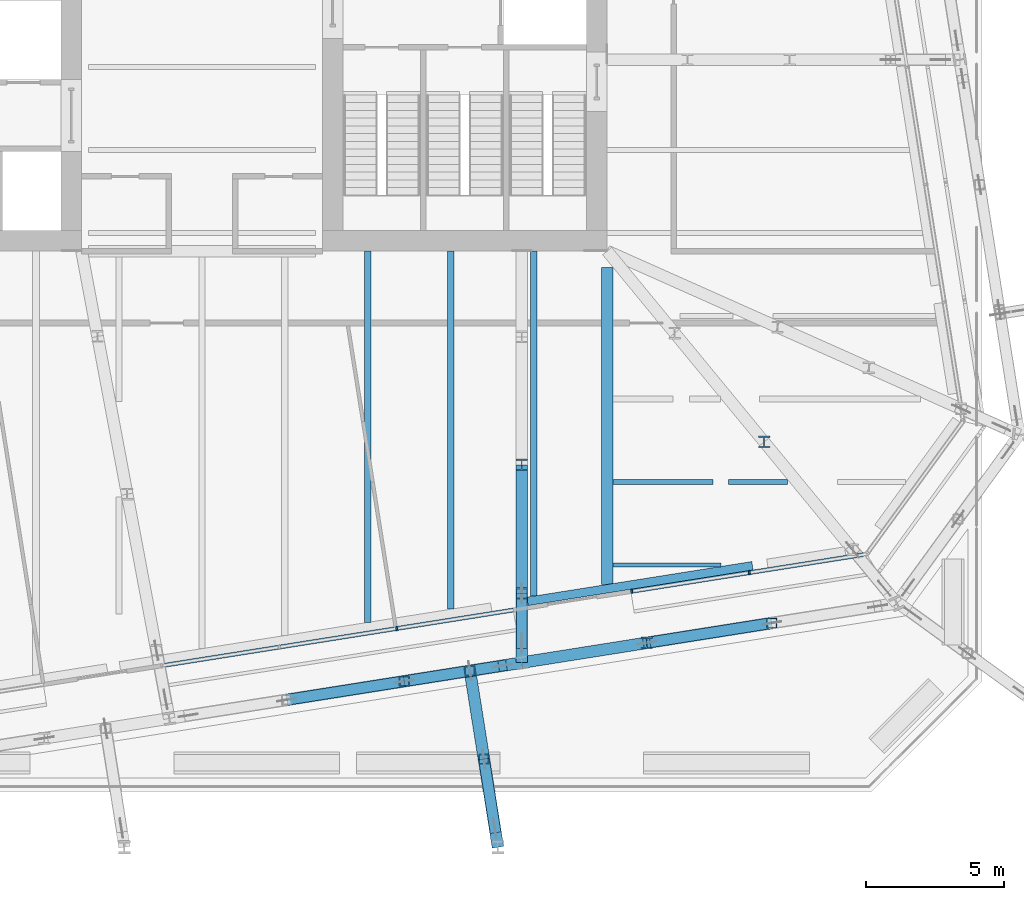
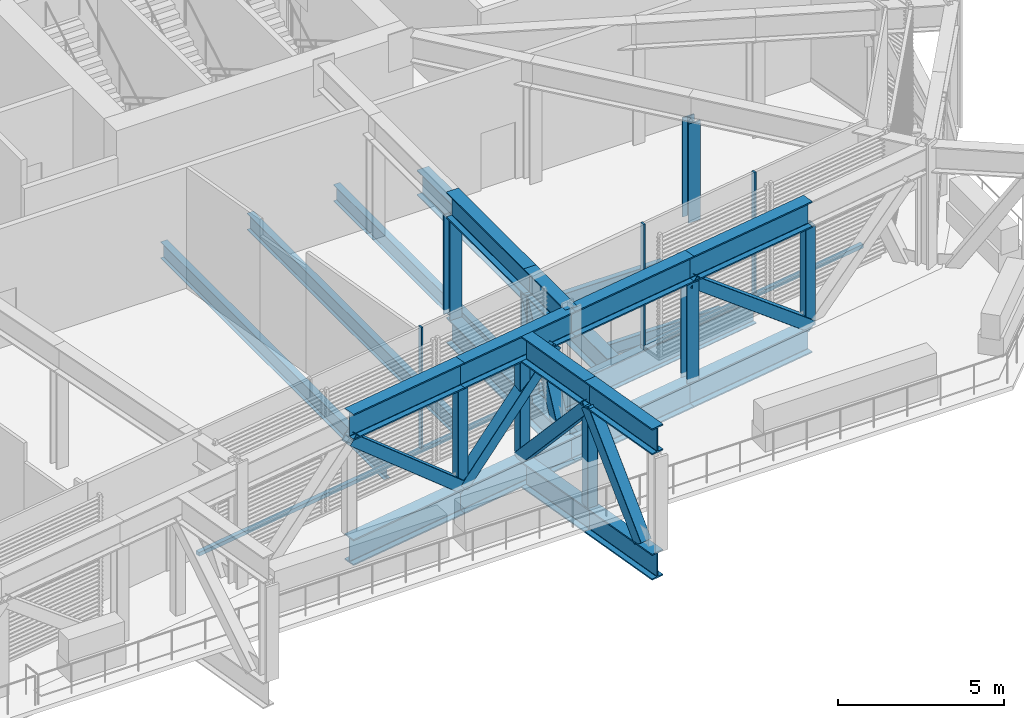
# One storey, part 7 of 32: 24 beams, 19 members, 1 element without a shape of its own.
"""IFC4 building model written with IfcOpenShell, lengths in metres."""

from ifc_helpers import new_model, si_unit, direction, frame, origin, origin_2d, place, context, subcontext, project, spatial, rectangle, hollow_rectangle, i_section, extrude, material, layer, layer_set, material_profile, profile_set, type_object, element, aggregate, save


model = new_model("IFC4")

# Units and contexts
model_context = context("Model", 3, precision=1e-05, world=origin(), true_north=direction((0.0, 1.0)))
body_context = subcontext(model_context, "Body", "Model", "MODEL_VIEW")
ifc_project = project(units=[si_unit("LENGTHUNIT", "METRE"), si_unit("AREAUNIT", "SQUARE_METRE"), si_unit("VOLUMEUNIT", "CUBIC_METRE"), si_unit("PLANEANGLEUNIT", "RADIAN"), si_unit("MASSUNIT", "GRAM", prefix="KILO")], contexts=[model_context])

# Site, building, storey
site_placement = place(None, origin())
site = spatial("IfcSite", under=ifc_project, at=site_placement, CompositionType="ELEMENT")
building_placement = place(site_placement, origin())
building = spatial("IfcBuilding", under=site, at=building_placement, Name="Millrace Tower", CompositionType="ELEMENT")
storey_placement = place(building_placement, frame((0.0, 0.0, 124.89990234375)))
storey = spatial("IfcBuildingStorey", under=building, at=storey_placement, Name="L27", CompositionType="ELEMENT", Elevation=124.89990234375)

# Curtain wall, members
ifc_material_1 = material(Name="Aluminium and glass", Category="aluminium")
ifc_layer = layer(ifc_material_1, 0.14990234375)
ifc_layer_set = layer_set([ifc_layer], Name="Aluminium and glass")
curtain_wall_type = type_object("IfcCurtainWallType", Name="CW-5 truss and plant storey louvred infill", PredefinedType="NOTDEFINED", material=ifc_layer_set)
curtain_wall_placement = place(storey_placement, origin())
curtain_wall = element("IfcCurtainWall", 1, at=curtain_wall_placement, inside=storey, type_object=curtain_wall_type, Name="Curtain wall C-F02 L27", PredefinedType="NOTDEFINED")
ifc_material_2 = material(Name="Aluminium", Category="aluminium")
ifc_material_profile_1 = material_profile(ifc_material_2, rectangle(XDim=0.06494140625, YDim=0.14990234375, at=origin_2d()))
ifc_profile_set_1 = profile_set([ifc_material_profile_1], Name="Aluminium")
member_type_1 = type_object("IfcMemberType", Name="CW-5 truss and plant storey louvred infill mullion", PredefinedType="MULLION", material=ifc_profile_set_1)
member_1_placement = place(storey_placement, frame((7.04345703125, -23.293212890625, 0.14013671875), z_axis=(0.0, 0.0, 1.0), x_axis=(0.98768833929, 0.15643447328, 0.0)))
member_1 = element("IfcMember", 2, at=member_1_placement, type_object=member_type_1, Name="CW5 mullion C-F02.6", PredefinedType="MULLION", context=body_context, shape_type="SweptSolid", body=[
    extrude(rectangle(XDim=0.06494140625, YDim=0.14990234375, at=origin_2d()), origin(), (0.0, 0.0, 1.0), 4.4599609375),
])
member_2_placement = place(storey_placement, frame((15.53759765625, -21.947998046875, 0.14013671875), z_axis=(0.0, 0.0, 1.0), x_axis=(0.98768833929, 0.15643447328, 0.0)))
member_2 = element("IfcMember", 3, at=member_2_placement, type_object=member_type_1, Name="CW5 mullion C-F02.8", PredefinedType="MULLION", context=body_context, shape_type="SweptSolid", body=[
    extrude(rectangle(XDim=0.06494140625, YDim=0.14990234375, at=origin_2d()), origin(), (0.0, 0.0, 1.0), 4.4599609375),
])
member_3_placement = place(storey_placement, frame((19.78466796875, -21.275390625, 0.14013671875), z_axis=(0.0, 0.0, 1.0), x_axis=(0.98768833929, 0.15643447328, 0.0)))
member_3 = element("IfcMember", 4, at=member_3_placement, type_object=member_type_1, Name="CW5 mullion C-F02.9", PredefinedType="MULLION", context=body_context, shape_type="SweptSolid", body=[
    extrude(rectangle(XDim=0.06494140625, YDim=0.14990234375, at=origin_2d()), origin(), (0.0, 0.0, 1.0), 4.4599609375),
])
ifc_material_3 = material(Name="Aluminium", Category="aluminium")
ifc_material_profile_2 = material_profile(ifc_material_3, rectangle(XDim=0.14990234375, YDim=0.139892578125, at=origin_2d()))
ifc_profile_set_2 = profile_set([ifc_material_profile_2], Name="Aluminium")
member_type_2 = type_object("IfcMemberType", Name="CW-5 truss and plant storey louvred infill transom", PredefinedType="USERDEFINED", material=ifc_profile_set_2)
member_4_placement = place(storey_placement, frame((-1.482666015625, -24.643798828125, 0.070068359375), z_axis=(0.987687659758, 0.156438763615, 0.0), x_axis=(-0.156438763615, 0.987687659758, 0.0)))
member_4 = element("IfcMember", 5, at=member_4_placement, type_object=member_type_2, Name="CW5 transom C-F02.2", ObjectType="TRANSOM", PredefinedType="USERDEFINED", context=body_context, shape_type="SweptSolid", body=[
    extrude(rectangle(XDim=0.14990234375, YDim=0.139892578125, at=origin_2d()), origin(), (0.0, 0.0, 1.0), 12.900146484375),
])
member_5_placement = place(storey_placement, frame((15.505615234375, -21.953125, 0.070068359375), z_axis=(0.9876855257, 0.156452236557, 0.0), x_axis=(-0.156452236557, 0.9876855257, 0.0)))
member_5 = element("IfcMember", 6, at=member_5_placement, type_object=member_type_2, Name="CW5 transom C-F02.3", ObjectType="TRANSOM", PredefinedType="USERDEFINED", context=body_context, shape_type="SweptSolid", body=[
    extrude(rectangle(XDim=0.14990234375, YDim=0.139892578125, at=origin_2d()), origin(), (0.0, 0.0, 1.0), 8.5),
])
aggregate(curtain_wall, [member_1, member_2, member_3, member_4, member_5])

# Beams
ifc_material_4 = material(Name="Steel ASTM A992 Grade 50", Category="steel")
ifc_material_profile_3 = material_profile(ifc_material_4, i_section(OverallWidth=0.15234375, OverallDepth=0.449462890625, WebThickness=0.007568359375, FlangeThickness=0.0107421875, FilletRadius=0.01025390625, at=origin_2d()))
ifc_profile_set_3 = profile_set([ifc_material_profile_3], Name="Steel ASTM A992 Grade 50")
beam_type_1 = type_object("IfcBeamType", Name="Floor beam W18x35", PredefinedType="JOIST", material=ifc_profile_set_3)
beam_1_placement = place(storey_placement, frame((14.859619140625, -21.0, -0.384765625), z_axis=(1.0, 0.0, 0.0), x_axis=(0.0, 1.0, 0.0)))
element("IfcBeam", 7, at=beam_1_placement, inside=storey, type_object=beam_type_1, Name="BM-C-L27-S1-S003", PredefinedType="JOIST", context=body_context, shape_type="SweptSolid", body=[
    extrude(i_section(OverallWidth=0.15234375, OverallDepth=0.449462890625, WebThickness=0.007568359375, FlangeThickness=0.0107421875, FilletRadius=0.01025390625, at=origin_2d()), origin(), (0.0, 0.0, 1.0), 3.9033203125),
])
ifc_material_5 = material(Name="Steel ASTM A992 Grade 50", Category="steel")
ifc_material_profile_4 = material_profile(ifc_material_5, i_section(OverallWidth=0.1787109375, OverallDepth=0.60205078125, WebThickness=0.010986328125, FlangeThickness=0.014892578125, FilletRadius=0.0126953125, at=origin_2d()))
ifc_profile_set_4 = profile_set([ifc_material_profile_4], Name="Steel ASTM A992 Grade 50")
beam_type_2 = type_object("IfcBeamType", Name="Floor beam W24x62", PredefinedType="JOIST", material=ifc_profile_set_4)
beam_2_placement = place(storey_placement, frame((14.859619140625, -18.0, -0.4609375), z_axis=(1.0, 0.0, 0.0), x_axis=(0.0, 1.0, 0.0)))
element("IfcBeam", 8, at=beam_2_placement, inside=storey, type_object=beam_type_2, Name="BM-C-L27-S1-S005-a", PredefinedType="JOIST", context=body_context, shape_type="SweptSolid", body=[
    extrude(i_section(OverallWidth=0.1787109375, OverallDepth=0.60205078125, WebThickness=0.010986328125, FlangeThickness=0.014892578125, FilletRadius=0.0126953125, at=origin_2d()), origin(), (0.0, 0.0, 1.0), 3.60986328125),
])
beam_3_placement = place(storey_placement, frame((19.03369140625, -18.0, -0.4609375), z_axis=(1.0, 0.0, 0.0), x_axis=(0.0, 1.0, 0.0)))
element("IfcBeam", 9, at=beam_3_placement, inside=storey, type_object=beam_type_2, Name="BM-C-L27-S1-S005-b-a", PredefinedType="JOIST", context=body_context, shape_type="SweptSolid", body=[
    extrude(i_section(OverallWidth=0.1787109375, OverallDepth=0.60205078125, WebThickness=0.010986328125, FlangeThickness=0.014892578125, FilletRadius=0.0126953125, at=origin_2d()), origin(), (0.0, 0.0, 1.0), 2.134765625),
])
ifc_material_6 = material(Name="Steel ASTM A992 Grade 50", Category="steel")
ifc_material_profile_5 = material_profile(ifc_material_6, i_section(OverallWidth=0.228271484375, OverallDepth=0.607177734375, WebThickness=0.01123046875, FlangeThickness=0.017333984375, FilletRadius=0.0126953125, at=origin_2d()))
ifc_profile_set_5 = profile_set([ifc_material_profile_5], Name="Steel ASTM A992 Grade 50")
beam_type_3 = type_object("IfcBeamType", Name="Floor beam W24x76", PredefinedType="JOIST", material=ifc_profile_set_5)
beam_4_placement = place(storey_placement, frame((6.0, -23.071533203125, -0.46337890625), z_axis=(0.0, 1.0, 0.0), x_axis=(-1.0, 0.0, 0.0)))
element("IfcBeam", 10, at=beam_4_placement, inside=storey, type_object=beam_type_3, Name="BM-C-L27-S1-S052", PredefinedType="JOIST", context=body_context, shape_type="SweptSolid", body=[
    extrude(i_section(OverallWidth=0.228271484375, OverallDepth=0.607177734375, WebThickness=0.01123046875, FlangeThickness=0.017333984375, FilletRadius=0.0126953125, at=origin_2d()), origin(), (0.0, 0.0, 1.0), 13.421630859375),
])
beam_5_placement = place(storey_placement, frame((9.0, -22.596435546875, -0.46337890625), z_axis=(0.0, 1.0, 0.0), x_axis=(-1.0, 0.0, 0.0)))
element("IfcBeam", 11, at=beam_5_placement, inside=storey, type_object=beam_type_3, Name="BM-C-L27-S1-S054", PredefinedType="JOIST", context=body_context, shape_type="SweptSolid", body=[
    extrude(i_section(OverallWidth=0.228271484375, OverallDepth=0.607177734375, WebThickness=0.01123046875, FlangeThickness=0.017333984375, FilletRadius=0.0126953125, at=origin_2d()), origin(), (0.0, 0.0, 1.0), 12.946533203125),
])
beam_6_placement = place(storey_placement, frame((12.0, -22.12109375, -0.46337890625), z_axis=(0.0, 1.0, 0.0), x_axis=(-1.0, 0.0, 0.0)))
element("IfcBeam", 12, at=beam_6_placement, inside=storey, type_object=beam_type_3, Name="BM-C-L27-S1-S056", PredefinedType="JOIST", context=body_context, shape_type="SweptSolid", body=[
    extrude(i_section(OverallWidth=0.228271484375, OverallDepth=0.607177734375, WebThickness=0.01123046875, FlangeThickness=0.017333984375, FilletRadius=0.0126953125, at=origin_2d()), origin(), (0.0, 0.0, 1.0), 12.47119140625),
])
ifc_material_7 = material(Name="Steel ASTM A992 Grade 50", Category="steel")
ifc_material_profile_6 = material_profile(ifc_material_7, i_section(OverallWidth=0.419189453125, OverallDepth=0.927001953125, WebThickness=0.019287109375, FlangeThickness=0.031982421875, FilletRadius=0.024169921875, at=origin_2d()))
ifc_profile_set_6 = profile_set([ifc_material_profile_6], Name="Steel ASTM A992 Grade 50")
beam_type_4 = type_object("IfcBeamType", Name="Girder short span W36x231", PredefinedType="BEAM", material=ifc_profile_set_6)
beam_7_placement = place(storey_placement, frame((14.64990234375, -21.693603515625, -0.62353515625), z_axis=(0.0, 1.0, 0.0), x_axis=(-1.0, 0.0, 0.0)))
element("IfcBeam", 13, at=beam_7_placement, inside=storey, type_object=beam_type_4, Name="BM-C-L27-S1-G060", PredefinedType="BEAM", context=body_context, shape_type="SweptSolid", body=[
    extrude(i_section(OverallWidth=0.419189453125, OverallDepth=0.927001953125, WebThickness=0.019287109375, FlangeThickness=0.031982421875, FilletRadius=0.024169921875, at=origin_2d()), origin(), (0.0, 0.0, 1.0), 11.45263671875),
])
ifc_material_8 = material(Name="Steel ASTM A992 Grade 50", Category="steel")
ifc_material_profile_7 = material_profile(ifc_material_8, i_section(OverallWidth=0.307373046875, OverallDepth=0.927001953125, WebThickness=0.01953125, FlangeThickness=0.031982421875, FilletRadius=0.01904296875, at=origin_2d()))
ifc_profile_set_7 = profile_set([ifc_material_profile_7], Name="Steel ASTM A992 Grade 50")
beam_type_5 = type_object("IfcBeamType", Name="Ring beam short span W36x194", PredefinedType="SPANDREL", material=ifc_profile_set_7)
beam_8_placement = place(storey_placement, frame((19.900146484375, -21.025634765625, -0.62353515625), z_axis=(-0.987688539852, -0.156433206979, 0.0), x_axis=(0.156433206979, -0.987688539852, 0.0)))
element("IfcBeam", 14, at=beam_8_placement, inside=storey, type_object=beam_type_5, Name="RNG-C-L27-S1-13-b", PredefinedType="SPANDREL", context=body_context, shape_type="SweptSolid", body=[
    extrude(i_section(OverallWidth=0.307373046875, OverallDepth=0.927001953125, WebThickness=0.01953125, FlangeThickness=0.031982421875, FilletRadius=0.01904296875, at=origin_2d()), origin(), (0.0, 0.0, 1.0), 8.23095703125),
])

# Members
ifc_material_9 = material(Name="Steel ASTM A992 Grade 50", Category="steel")
ifc_material_profile_8 = material_profile(ifc_material_9, i_section(OverallWidth=0.406494140625, OverallDepth=0.41650390625, WebThickness=0.030029296875, FlangeThickness=0.048095703125, FilletRadius=0.01513671875, at=origin_2d()))
ifc_profile_set_8 = profile_set([ifc_material_profile_8], Name="Steel ASTM A992 Grade 50")
member_type_3 = type_object("IfcMemberType", Name="Transfer truss Vierendeel moment post W14x257", PredefinedType="POST", material=ifc_profile_set_8)
for number, where, z_axis, x_axis, name in (
    (15, (16.07958984375, -23.811279296875, -0.159912109375), (0.0, 0.0, 1.0), (1.0, 0.0, 0.0), "TRS-L27-R04-V01"),
    (16, (11.5595703125, -22.027099609375, -0.159912109375), (0.0, 0.0, 1.0), (1.0, 0.0, 0.0), "TRS-L27-C04-V01"),
    (17, (11.5595703125, -17.376953125, -0.159912109375), (0.0, 0.0, 1.0), (1.0, 0.0, 0.0), "TRS-L27-C04-V02"),
    (18, (20.3232421875, -16.54833984375, -0.159912109375), (0.0, 0.0, 1.0), (1.0, 0.0, 0.0), "TRS-L27-C05-V02"),
):
    element("IfcMember", number, at=place(storey_placement, frame(where, z_axis=z_axis, x_axis=x_axis)), inside=storey, type_object=member_type_3, Name=name, PredefinedType="POST", context=body_context, shape_type="SweptSolid", body=[
        extrude(i_section(OverallWidth=0.406494140625, OverallDepth=0.41650390625, WebThickness=0.030029296875, FlangeThickness=0.048095703125, FilletRadius=0.01513671875, at=origin_2d()), origin(), (0.0, 0.0, 1.0), 3.642333984375),
    ])

# Beams
ifc_material_10 = material(Name="Steel ASTM A992 Grade 50", Category="steel")
ifc_material_profile_9 = material_profile(ifc_material_10, i_section(OverallWidth=0.421630859375, OverallDepth=0.95751953125, WebThickness=0.02587890625, FlangeThickness=0.046875, FilletRadius=0.024169921875, at=origin_2d()))
ifc_profile_set_9 = profile_set([ifc_material_profile_9], Name="Steel ASTM A992 Grade 50")
beam_type_6 = type_object("IfcBeamType", Name="Transfer truss chord W36x330", PredefinedType="BEAM", material=ifc_profile_set_9)
for number, where, z_axis, x_axis, name in (
    (19, (3.0654296875, -25.872314453125, -0.638671875), (0.987690583834, 0.15642030113, 0.0), (-0.15642030113, 0.987690583834, 0.0), "TRS-L27-R03-B02"),
    (20, (3.0654296875, -25.872314453125, 3.96142578125), (0.987690583834, 0.15642030113, 0.0), (-0.15642030113, 0.987690583834, 0.0), "TRS-L27-R03-T02"),
    (21, (7.3125, -25.19970703125, -0.638671875), (0.987690583834, 0.15642030113, 0.0), (-0.15642030113, 0.987690583834, 0.0), "TRS-L27-R03-B03"),
    (22, (7.3125, -25.19970703125, 3.96142578125), (0.987690583834, 0.15642030113, 0.0), (-0.15642030113, 0.987690583834, 0.0), "TRS-L27-R03-T03"),
):
    element("IfcBeam", number, at=place(storey_placement, frame(where, z_axis=z_axis, x_axis=x_axis)), inside=storey, type_object=beam_type_6, Name=name, PredefinedType="BEAM", context=body_context, shape_type="SweptSolid", body=[
        extrude(i_section(OverallWidth=0.421630859375, OverallDepth=0.95751953125, WebThickness=0.02587890625, FlangeThickness=0.046875, FilletRadius=0.024169921875, at=origin_2d()), origin(), (0.0, 0.0, 1.0), 4.300048828125),
    ])
for number, where, z_axis, x_axis, name in (
    (23, (11.5595703125, -24.527099609375, -0.638671875), (0.987691056671, 0.156417315446, 0.0), (-0.156417315446, 0.987691056671, 0.0), "TRS-L27-R04-B01"),
    (24, (11.5595703125, -24.527099609375, 3.96142578125), (0.987691056671, 0.156417315446, 0.0), (-0.156417315446, 0.987691056671, 0.0), "TRS-L27-R04-T01"),
):
    element("IfcBeam", number, at=place(storey_placement, frame(where, z_axis=z_axis, x_axis=x_axis)), inside=storey, type_object=beam_type_6, Name=name, PredefinedType="BEAM", context=body_context, shape_type="SweptSolid", body=[
        extrude(i_section(OverallWidth=0.421630859375, OverallDepth=0.95751953125, WebThickness=0.02587890625, FlangeThickness=0.046875, FilletRadius=0.024169921875, at=origin_2d()), origin(), (0.0, 0.0, 1.0), 4.576416015625),
    ])
for number, where, z_axis, x_axis, name in (
    (25, (16.07958984375, -23.811279296875, -0.638671875), (0.987681507278, 0.156477602811, 0.0), (-0.156477602811, 0.987681507278, 0.0), "TRS-L27-R04-B02"),
    (26, (16.07958984375, -23.811279296875, 3.96142578125), (0.987681507278, 0.156477602811, 0.0), (-0.156477602811, 0.987681507278, 0.0), "TRS-L27-R04-T02"),
):
    element("IfcBeam", number, at=place(storey_placement, frame(where, z_axis=z_axis, x_axis=x_axis)), inside=storey, type_object=beam_type_6, Name=name, PredefinedType="BEAM", context=body_context, shape_type="SweptSolid", body=[
        extrude(i_section(OverallWidth=0.421630859375, OverallDepth=0.95751953125, WebThickness=0.02587890625, FlangeThickness=0.046875, FilletRadius=0.024169921875, at=origin_2d()), origin(), (0.0, 0.0, 1.0), 4.576171875),
    ])
for number, where, z_axis, x_axis, name in (
    (27, (11.5595703125, -24.527099609375, -0.638671875), (0.0, 1.0, 0.0), (-1.0, 0.0, 0.0), "TRS-L27-C04-B01"),
    (28, (11.5595703125, -24.527099609375, 3.96142578125), (0.0, 1.0, 0.0), (-1.0, 0.0, 0.0), "TRS-L27-C04-T01"),
):
    element("IfcBeam", number, at=place(storey_placement, frame(where, z_axis=z_axis, x_axis=x_axis)), inside=storey, type_object=beam_type_6, Name=name, PredefinedType="BEAM", context=body_context, shape_type="SweptSolid", body=[
        extrude(i_section(OverallWidth=0.421630859375, OverallDepth=0.95751953125, WebThickness=0.02587890625, FlangeThickness=0.046875, FilletRadius=0.024169921875, at=origin_2d()), origin(), (0.0, 0.0, 1.0), 2.5),
    ])
for number, where, z_axis, x_axis, name in (
    (29, (11.5595703125, -22.027099609375, -0.638671875), (0.0, 1.0, 0.0), (-1.0, 0.0, 0.0), "TRS-L27-C04-B02"),
    (30, (11.5595703125, -22.027099609375, 3.96142578125), (0.0, 1.0, 0.0), (-1.0, 0.0, 0.0), "TRS-L27-C04-T02"),
):
    element("IfcBeam", number, at=place(storey_placement, frame(where, z_axis=z_axis, x_axis=x_axis)), inside=storey, type_object=beam_type_6, Name=name, PredefinedType="BEAM", context=body_context, shape_type="SweptSolid", body=[
        extrude(i_section(OverallWidth=0.421630859375, OverallDepth=0.95751953125, WebThickness=0.02587890625, FlangeThickness=0.046875, FilletRadius=0.024169921875, at=origin_2d()), origin(), (0.0, 0.0, 1.0), 4.650146484375),
    ])
for number, where, z_axis, x_axis, name in (
    (31, (10.699951171875, -31.199951171875, -0.638671875), (-0.156397518254, 0.987694191683, 0.0), (-0.987694191683, -0.156397518254, 0.0), "TRS-L27-B-B-X04-B01"),
    (32, (10.699951171875, -31.199951171875, 3.96142578125), (-0.156397518254, 0.987694191683, 0.0), (-0.987694191683, -0.156397518254, 0.0), "TRS-L27-B-B-X04-T01"),
):
    element("IfcBeam", number, at=place(storey_placement, frame(where, z_axis=z_axis, x_axis=x_axis)), inside=storey, type_object=beam_type_6, Name=name, PredefinedType="BEAM", context=body_context, shape_type="SweptSolid", body=[
        extrude(i_section(OverallWidth=0.421630859375, OverallDepth=0.95751953125, WebThickness=0.02587890625, FlangeThickness=0.046875, FilletRadius=0.024169921875, at=origin_2d()), origin(), (0.0, 0.0, 1.0), 3.228271484375),
    ])
for number, where, z_axis, x_axis, name in (
    (33, (10.195068359375, -28.011474609375, -0.638671875), (-0.156494419317, 0.987678842905, 0.0), (-0.987678842905, -0.156494419317, 0.0), "TRS-L27-B-B-X04-B02"),
    (34, (10.195068359375, -28.011474609375, 3.96142578125), (-0.156494419317, 0.987678842905, 0.0), (-0.987678842905, -0.156494419317, 0.0), "TRS-L27-B-B-X04-T02"),
):
    element("IfcBeam", number, at=place(storey_placement, frame(where, z_axis=z_axis, x_axis=x_axis)), inside=storey, type_object=beam_type_6, Name=name, PredefinedType="BEAM", context=body_context, shape_type="SweptSolid", body=[
        extrude(i_section(OverallWidth=0.421630859375, OverallDepth=0.95751953125, WebThickness=0.02587890625, FlangeThickness=0.046875, FilletRadius=0.024169921875, at=origin_2d()), origin(), (0.0, 0.0, 1.0), 3.01708984375),
    ])

# Members
ifc_material_11 = material(Name="Steel ASTM A500 Grade C", Category="steel")
ifc_material_profile_10 = material_profile(ifc_material_11, hollow_rectangle(XDim=0.406494140625, YDim=0.406494140625, WallThickness=0.0126953125, InnerFilletRadius=0.00634765625, OuterFilletRadius=0.01904296875, at=origin_2d()))
ifc_profile_set_10 = profile_set([ifc_material_profile_10], Name="Steel ASTM A500 Grade C")
member_type_4 = type_object("IfcMemberType", Name="Transfer truss diagonal HSS16x16x1/2", PredefinedType="BRACE", material=ifc_profile_set_10)
member_6_placement = place(storey_placement, frame((7.3125, -25.19970703125, -0.159912109375), z_axis=(-0.753654723467, -0.119356102734, 0.64634253963), x_axis=(0.15642030113, -0.987690583834, 0.0)))
element("IfcMember", 35, at=member_6_placement, inside=storey, type_object=member_type_4, Name="TRS-L27-R03-D02", PredefinedType="BRACE", context=body_context, shape_type="SweptSolid", body=[
    extrude(hollow_rectangle(XDim=0.406494140625, YDim=0.406494140625, WallThickness=0.0126953125, InnerFilletRadius=0.00634765625, OuterFilletRadius=0.01904296875, at=origin_2d()), origin(), (0.0, 0.0, 1.0), 5.63525390625),
])
member_7_placement = place(storey_placement, frame((7.3125, -25.19970703125, -0.159912109375), z_axis=(0.694329121257, 0.109977156385, 0.711204679714), x_axis=(-0.156443106364, 0.987686971905, 0.0)))
element("IfcMember", 36, at=member_7_placement, inside=storey, type_object=member_type_4, Name="TRS-L27-R03-D03", PredefinedType="BRACE", context=body_context, shape_type="SweptSolid", body=[
    extrude(hollow_rectangle(XDim=0.406494140625, YDim=0.406494140625, WallThickness=0.0126953125, InnerFilletRadius=0.00634765625, OuterFilletRadius=0.01904296875, at=origin_2d()), origin(), (0.0, 0.0, 1.0), 5.121337890625),
])
member_8_placement = place(storey_placement, frame((20.599365234375, -23.09521484375, -0.159912109375), z_axis=(-0.772778128906, -0.12243062994, 0.622755734086), x_axis=(0.156477602811, -0.987681507278, 0.0)))
element("IfcMember", 37, at=member_8_placement, inside=storey, type_object=member_type_4, Name="TRS-L27-R04-D02", PredefinedType="BRACE", context=body_context, shape_type="SweptSolid", body=[
    extrude(hollow_rectangle(XDim=0.406494140625, YDim=0.406494140625, WallThickness=0.0126953125, InnerFilletRadius=0.00634765625, OuterFilletRadius=0.01904296875, at=origin_2d()), origin(), (0.0, 0.0, 1.0), 5.8486328125),
])
member_9_placement = place(storey_placement, frame((11.5595703125, -23.8271484375, -0.159912109375), z_axis=(0.0, 0.443050469624, 0.896496671141), x_axis=(-1.0, 0.0, 0.0)))
element("IfcMember", 38, at=member_9_placement, inside=storey, type_object=member_type_4, Name="TRS-L27-C04-D01", PredefinedType="BRACE", context=body_context, shape_type="SweptSolid", body=[
    extrude(hollow_rectangle(XDim=0.406494140625, YDim=0.406494140625, WallThickness=0.0126953125, InnerFilletRadius=0.00634765625, OuterFilletRadius=0.01904296875, at=origin_2d()), origin(), (0.0, 0.0, 1.0), 4.062744140625),
])
member_10_placement = place(storey_placement, frame((10.590576171875, -30.508544921875, -0.159912109375), z_axis=(-0.089203350275, 0.563192510255, 0.821496779478), x_axis=(-0.987687684918, -0.156438604768, 0.0)))
element("IfcMember", 39, at=member_10_placement, inside=storey, type_object=member_type_4, Name="TRS-L27-B-B-X04-D01", PredefinedType="BRACE", context=body_context, shape_type="SweptSolid", body=[
    extrude(hollow_rectangle(XDim=0.406494140625, YDim=0.406494140625, WallThickness=0.0126953125, InnerFilletRadius=0.00634765625, OuterFilletRadius=0.01904296875, at=origin_2d()), origin(), (0.0, 0.0, 1.0), 4.433837890625),
])
member_11_placement = place(storey_placement, frame((9.68994140625, -24.8232421875, -0.159912109375), z_axis=(0.103788539115, -0.655086772497, 0.748391114089), x_axis=(0.987680654884, 0.156482982997, 0.0)))
element("IfcMember", 40, at=member_11_placement, inside=storey, type_object=member_type_4, Name="TRS-L27-B-B-X04-D02", PredefinedType="BRACE", context=body_context, shape_type="SweptSolid", body=[
    extrude(hollow_rectangle(XDim=0.406494140625, YDim=0.406494140625, WallThickness=0.0126953125, InnerFilletRadius=0.00634765625, OuterFilletRadius=0.01904296875, at=origin_2d()), origin(), (0.0, 0.0, 1.0), 4.866943359375),
])
ifc_material_12 = material(Name="Steel ASTM A500 Grade C", Category="steel")
ifc_material_profile_11 = material_profile(ifc_material_12, hollow_rectangle(XDim=0.355712890625, YDim=0.355712890625, WallThickness=0.015869140625, InnerFilletRadius=0.008056640625, OuterFilletRadius=0.02392578125, at=origin_2d()))
ifc_profile_set_11 = profile_set([ifc_material_profile_11], Name="Steel ASTM A500 Grade C")
member_type_5 = type_object("IfcMemberType", Name="Transfer truss post HSS14x14x5/8", PredefinedType="POST", material=ifc_profile_set_11)
for number, where, z_axis, x_axis, name in (
    (41, (7.3125, -25.19970703125, -0.159912109375), (0.0, 0.0, 1.0), (1.0, 0.0, 0.0), "TRS-L27-R03-V02"),
    (42, (20.599365234375, -23.09521484375, -0.159912109375), (0.0, 0.0, 1.0), (1.0, 0.0, 0.0), "TRS-L27-R04-V02"),
    (43, (10.195068359375, -28.011474609375, -0.159912109375), (0.0, 0.0, 1.0), (1.0, 0.0, 0.0), "TRS-L27-B-B-X04-V01"),
    (44, (9.68994140625, -24.8232421875, -0.159912109375), (0.0, 0.0, 1.0), (1.0, 0.0, 0.0), "TRS-L27-B-B-X04-V02"),
):
    element("IfcMember", number, at=place(storey_placement, frame(where, z_axis=z_axis, x_axis=x_axis)), inside=storey, type_object=member_type_5, Name=name, PredefinedType="POST", context=body_context, shape_type="SweptSolid", body=[
        extrude(hollow_rectangle(XDim=0.355712890625, YDim=0.355712890625, WallThickness=0.015869140625, InnerFilletRadius=0.008056640625, OuterFilletRadius=0.02392578125, at=origin_2d()), origin(), (0.0, 0.0, 1.0), 3.642333984375),
    ])

save(model, "model.ifc")
